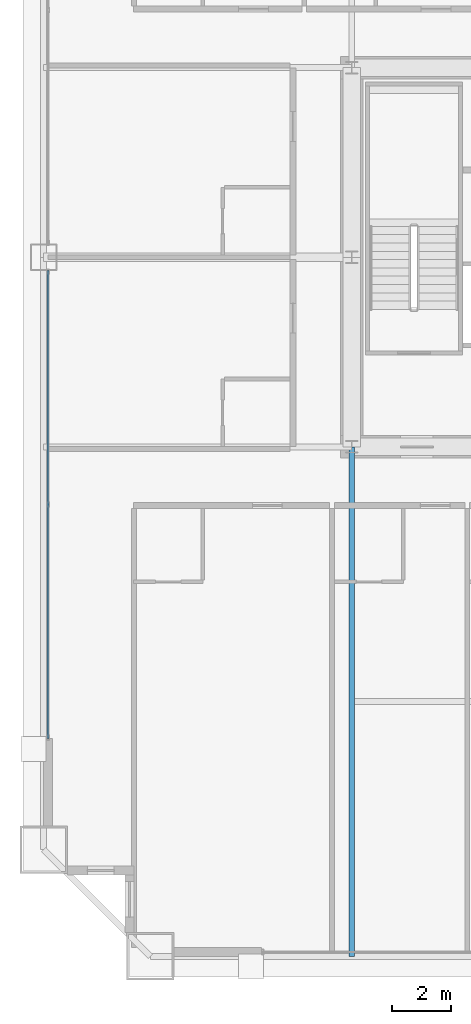
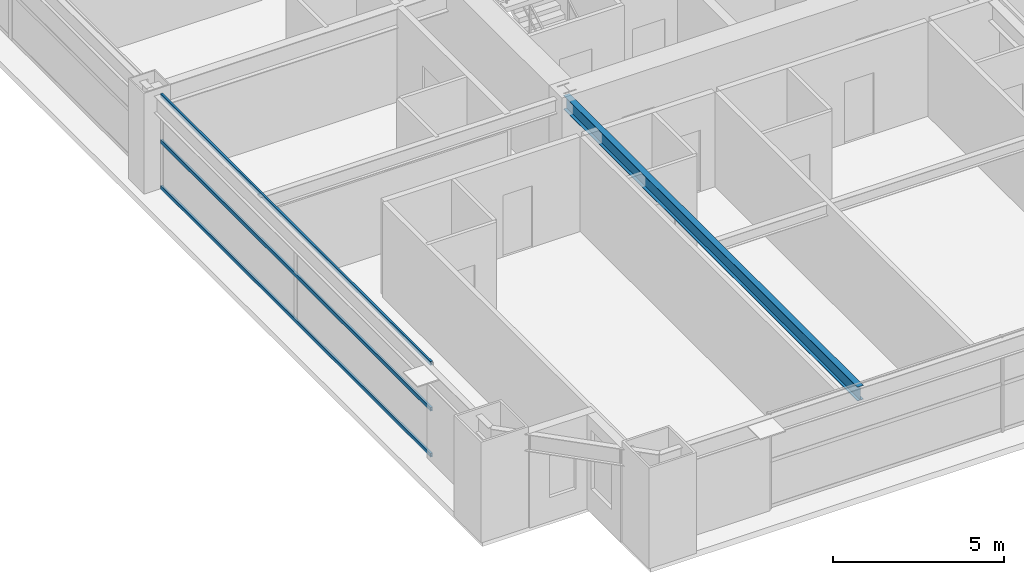
# One storey, part 8 of 38: 3 members, 1 beam, 1 element without a shape of its own.
"""IFC4 building model written with IfcOpenShell, lengths in metres."""

from ifc_helpers import new_model, si_unit, direction, frame, origin, origin_2d, place, context, subcontext, project, spatial, hollow_rectangle, i_section, extrude, source, transform, mapped, material, layer, layer_set, material_profile, profile_set, type_object, element, aggregate, save


model = new_model("IFC4")

# Units and contexts
model_context = context("Model", 3, precision=1e-05, world=origin(), true_north=direction((0.0, 1.0)))
body_context = subcontext(model_context, "Body", "Model", "MODEL_VIEW")
ifc_project = project(units=[si_unit("LENGTHUNIT", "METRE"), si_unit("AREAUNIT", "SQUARE_METRE"), si_unit("VOLUMEUNIT", "CUBIC_METRE"), si_unit("PLANEANGLEUNIT", "RADIAN"), si_unit("MASSUNIT", "GRAM", prefix="KILO"), si_unit("THERMODYNAMICTEMPERATUREUNIT", "KELVIN"), si_unit("POWERUNIT", "WATT")], contexts=[model_context])

# Site, building, storey
site_placement = place(None, origin())
site = spatial("IfcSite", under=ifc_project, at=site_placement, CompositionType="ELEMENT")
building_placement = place(site_placement, origin())
building = spatial("IfcBuilding", under=site, at=building_placement, Name="Yuzanri Waterfront Tower", CompositionType="ELEMENT")
storey_placement = place(building_placement, frame((0.0, 0.0, 97.39990234375)))
storey = spatial("IfcBuildingStorey", under=building, at=storey_placement, Name="L25", CompositionType="ELEMENT", Elevation=97.39990234375)

# Beam
ifc_material_1 = material(Name="Steel Q355B", Category="steel")
ifc_material_profile_1 = material_profile(ifc_material_1, i_section(OverallWidth=0.199951171875, OverallDepth=0.5, WebThickness=0.010009765625, FlangeThickness=0.01611328125, at=origin_2d()), Name="HN 500x200x10x16")
ifc_profile_set_1 = profile_set([ifc_material_profile_1], Name="Steel Q355B")
beam_type = type_object("IfcBeamType", Name="Secondary Floor Beam Q355B HN 500x200", PredefinedType="BEAM", material=ifc_profile_set_1)
shared_shape_1 = source(origin(), body_context, "Body", "SweptSolid", [
    extrude(i_section(OverallWidth=0.199951171875, OverallDepth=0.5, WebThickness=0.010009765625, FlangeThickness=0.01611328125, at=origin_2d()), origin(), (0.0, 0.0, 1.0), 17.199951171875),
])
beam_placement = place(storey_placement, frame((23.800048828125, 19.39990234375, 3.130126953125), z_axis=(0.0, -1.0, 0.0), x_axis=(1.0, 0.0, 0.0)))
element("IfcBeam", 1, at=beam_placement, inside=storey, type_object=beam_type, Name="L25 South-West Core Line Beam", PredefinedType="BEAM", context=body_context, shape_type="MappedRepresentation", body=[
    mapped(shared_shape_1, transform((0.0, 0.0, 0.0), scale=1.0)),
])

# Curtain wall, members
ifc_material_2 = material(Name="Anodized Architectural Bronze", Category="metal")
ifc_layer = layer(ifc_material_2, 0.159912109375)
ifc_layer_set = layer_set([ifc_layer], Name="Anodized Architectural Bronze")
curtain_wall_type = type_object("IfcCurtainWallType", Name="Anodized Bronze Hotel Upper-Tier Solar-Control Unitized Curtain Wall 7800", PredefinedType="NOTDEFINED", material=ifc_layer_set)
curtain_wall_placement = place(storey_placement, origin())
curtain_wall = element("IfcCurtainWall", 2, at=curtain_wall_placement, inside=storey, type_object=curtain_wall_type, Name="L25 Curtain Wall CW-L25-WL", PredefinedType="NOTDEFINED")
ifc_material_3 = material(Name="Anodized Architectural Bronze", Category="metal")
ifc_material_profile_2 = material_profile(ifc_material_3, hollow_rectangle(XDim=0.070068359375, YDim=0.135009765625, WallThickness=0.00341796875, at=origin_2d()), Name="CWT 70x135")
ifc_profile_set_2 = profile_set([ifc_material_profile_2], Name="Anodized Architectural Bronze")
member_type = type_object("IfcMemberType", Name="Anodized Bronze Standard Curtain-Wall Transom 70x135", PredefinedType="USERDEFINED", material=ifc_profile_set_2)
shared_shape_2 = source(origin(), body_context, "Body", "SweptSolid", [
    extrude(hollow_rectangle(XDim=0.070068359375, YDim=0.135009765625, WallThickness=0.00341796875, at=origin_2d()), origin(), (0.0, 0.0, 1.0), 15.800048828125),
])
member_1_placement = place(storey_placement, frame((13.550048828125, 9.550048828125, 0.050048828125), z_axis=(0.0, 1.0, 0.0), x_axis=(-1.0, 0.0, 0.0)))
member_1 = element("IfcMember", 3, at=member_1_placement, type_object=member_type, Name="CW-L25-WL Transom 1", ObjectType="TRANSOM", PredefinedType="USERDEFINED", context=body_context, shape_type="MappedRepresentation", body=[
    mapped(shared_shape_2, transform((0.0, 0.0, 0.0), scale=1.0)),
])
member_2_placement = place(storey_placement, frame((13.550048828125, 9.550048828125, 1.690185546875), z_axis=(0.0, 1.0, 0.0), x_axis=(-1.0, 0.0, 0.0)))
member_2 = element("IfcMember", 4, at=member_2_placement, type_object=member_type, Name="CW-L25-WL Transom 2", ObjectType="TRANSOM", PredefinedType="USERDEFINED", context=body_context, shape_type="MappedRepresentation", body=[
    mapped(shared_shape_2, transform((0.0, 0.0, 0.0), scale=1.0)),
])
member_3_placement = place(storey_placement, frame((13.550048828125, 9.550048828125, 3.330078125), z_axis=(0.0, 1.0, 0.0), x_axis=(-1.0, 0.0, 0.0)))
member_3 = element("IfcMember", 5, at=member_3_placement, type_object=member_type, Name="CW-L25-WL Transom 3", ObjectType="TRANSOM", PredefinedType="USERDEFINED", context=body_context, shape_type="MappedRepresentation", body=[
    mapped(shared_shape_2, transform((0.0, 0.0, 0.0), scale=1.0)),
])
aggregate(curtain_wall, [member_1, member_2, member_3])

save(model, "model.ifc")
